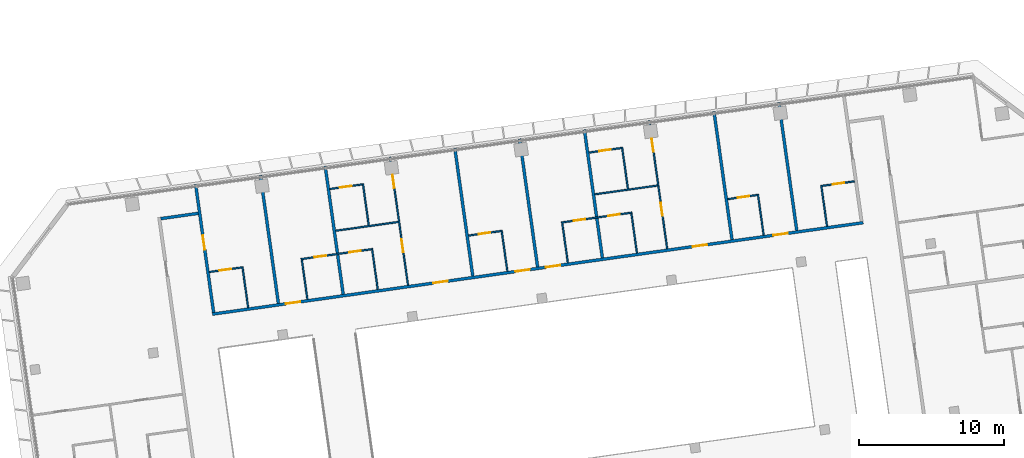
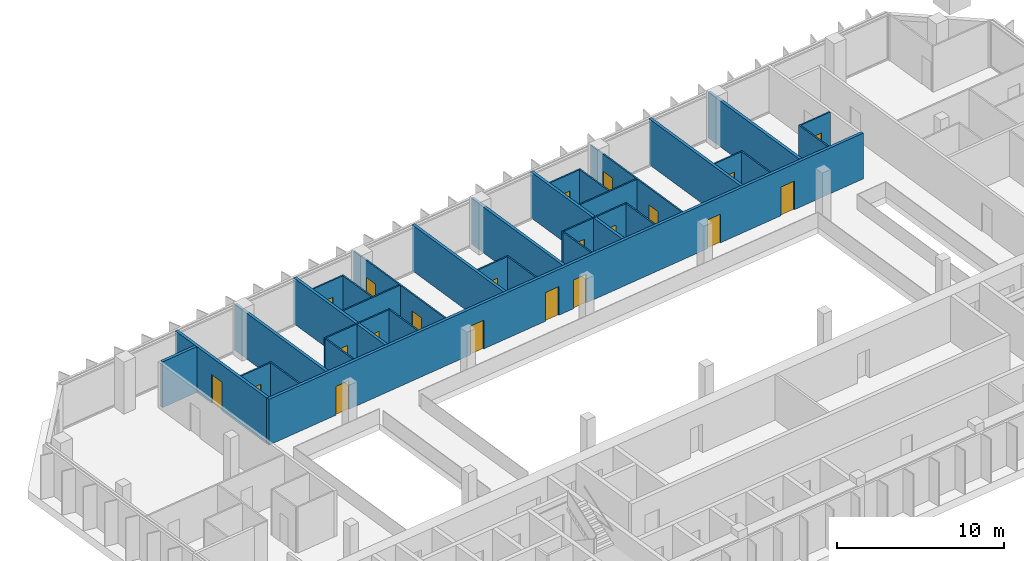
# One storey, part 21 of 26: 32 walls, 21 doors, 21 openings.
"""IFC4 building model written with IfcOpenShell, lengths in metres."""

from ifc_helpers import new_model, si_unit, direction, frame, frame_2d, origin, place, context, subcontext, project, spatial, rectangle, extrude, material, layer, layer_set, type_object, element, fill, save


model = new_model("IFC4")

# Units and contexts
model_context = context("Model", 3, precision=1e-05, world=origin(), true_north=direction((0.0, 1.0)))
body_context = subcontext(model_context, "Body", "Model", "MODEL_VIEW")
ifc_project = project(units=[si_unit("LENGTHUNIT", "METRE"), si_unit("AREAUNIT", "SQUARE_METRE"), si_unit("VOLUMEUNIT", "CUBIC_METRE"), si_unit("PLANEANGLEUNIT", "RADIAN"), si_unit("MASSUNIT", "GRAM", prefix="KILO")], contexts=[model_context])

# Site, building, storey
site_placement = place(None, origin())
site = spatial("IfcSite", under=ifc_project, at=site_placement, CompositionType="ELEMENT")
building_placement = place(site_placement, origin())
building = spatial("IfcBuilding", under=site, at=building_placement, Name="Mirante Cascada Hotel Towers", CompositionType="ELEMENT")
storey_placement = place(building_placement, frame((0.0, 0.0, 140.5)))
storey = spatial("IfcBuildingStorey", under=building, at=storey_placement, Name="L32", CompositionType="ELEMENT", Elevation=140.5)

# Wall, openings, doors
ifc_material_1 = material(Name="Fire-rated plasterboard on metal studs")
ifc_layer_1 = layer(ifc_material_1, 0.2)
ifc_layer_set_1 = layer_set([ifc_layer_1], Name="Compartment wall 200 EI 120")
wall_type_1 = type_object("IfcWallType", Name="Compartment wall 200 EI 120", PredefinedType="PARTITIONING", material=ifc_layer_set_1)
wall_1_placement = place(storey_placement, frame((86.638, 16.0582, 0.0), z_axis=(0.0, 0.0, 1.0), x_axis=(-0.9902681, -0.1391726, 0.0)))
wall_1 = element("IfcWall", 1, at=wall_1_placement, inside=storey, type_object=wall_type_1, Name="Wall 2-L32-16", PredefinedType="PARTITIONING", context=body_context, shape_type="SweptSolid", body=[
    extrude(rectangle(XDim=45.2, YDim=0.2, at=frame_2d((22.6, 0.0))), origin(), (0.0, 0.0, 1.0), 3.35),
])
opening_1_placement = place(wall_1_placement, frame((39.0938, 0.0, 0.0)))
opening_1 = element("IfcOpeningElement", 2, at=opening_1_placement, cuts=wall_1, Name="Opening D2-L32-06", PredefinedType="OPENING", context=body_context, shape_type="SweptSolid", body=[
    extrude(rectangle(XDim=1.0, YDim=2.1, at=frame_2d((0.5, 1.05))), frame((0.0, 0.1, 0.0), z_axis=(0.0, -1.0, 0.0), x_axis=(1.0, 0.0, 0.0)), (0.0, 0.0, 1.0), 0.2),
])
opening_2_placement = place(wall_1_placement, frame((28.85, 0.0, 0.0)))
opening_2 = element("IfcOpeningElement", 3, at=opening_2_placement, cuts=wall_1, Name="Opening D2-L32-07", PredefinedType="OPENING", context=body_context, shape_type="SweptSolid", body=[
    extrude(rectangle(XDim=1.0, YDim=2.1, at=frame_2d((0.5, 1.05))), frame((0.0, 0.1, 0.0), z_axis=(0.0, -1.0, 0.0), x_axis=(1.0, 0.0, 0.0)), (0.0, 0.0, 1.0), 0.2),
])
opening_3_placement = place(wall_1_placement, frame((23.15, 0.0, 0.0)))
opening_3 = element("IfcOpeningElement", 4, at=opening_3_placement, cuts=wall_1, Name="Opening D2-L32-08", PredefinedType="OPENING", context=body_context, shape_type="SweptSolid", body=[
    extrude(rectangle(XDim=1.0, YDim=2.1, at=frame_2d((0.5, 1.05))), frame((0.0, 0.1, 0.0), z_axis=(0.0, -1.0, 0.0), x_axis=(1.0, 0.0, 0.0)), (0.0, 0.0, 1.0), 0.2),
])
opening_4_placement = place(wall_1_placement, frame((21.05, 0.0, 0.0)))
opening_4 = element("IfcOpeningElement", 5, at=opening_4_placement, cuts=wall_1, Name="Opening D2-L32-09", PredefinedType="OPENING", context=body_context, shape_type="SweptSolid", body=[
    extrude(rectangle(XDim=1.0, YDim=2.1, at=frame_2d((0.5, 1.05))), frame((0.0, 0.1, 0.0), z_axis=(0.0, -1.0, 0.0), x_axis=(1.0, 0.0, 0.0)), (0.0, 0.0, 1.0), 0.2),
])
opening_5_placement = place(wall_1_placement, frame((10.85, 0.0, 0.0)))
opening_5 = element("IfcOpeningElement", 6, at=opening_5_placement, cuts=wall_1, Name="Opening D2-L32-10", PredefinedType="OPENING", context=body_context, shape_type="SweptSolid", body=[
    extrude(rectangle(XDim=1.0, YDim=2.1, at=frame_2d((0.5, 1.05))), frame((0.0, 0.1, 0.0), z_axis=(0.0, -1.0, 0.0), x_axis=(1.0, 0.0, 0.0)), (0.0, 0.0, 1.0), 0.2),
])
opening_6_placement = place(wall_1_placement, frame((5.25, 0.0, 0.0)))
opening_6 = element("IfcOpeningElement", 7, at=opening_6_placement, cuts=wall_1, Name="Opening D2-L32-11", PredefinedType="OPENING", context=body_context, shape_type="SweptSolid", body=[
    extrude(rectangle(XDim=1.0, YDim=2.1, at=frame_2d((0.5, 1.05))), frame((0.0, 0.1, 0.0), z_axis=(0.0, -1.0, 0.0), x_axis=(1.0, 0.0, 0.0)), (0.0, 0.0, 1.0), 0.2),
])
ifc_material_2 = material(Name="Fire-rated timber door leaf", Category="wood")
door_type_1 = type_object("IfcDoorType", Name="Entrance door DG1 1000x2100 EI 60", OperationType="SINGLE_SWING_LEFT", PredefinedType="DOOR", material=ifc_material_2)
door_1_placement = place(opening_1_placement, frame((1.0, 0.0, 0.0), z_axis=(0.0, 0.0, 1.0), x_axis=(-1.0, 0.0, 0.0)))
door_1 = element("IfcDoor", 8, at=door_1_placement, inside=storey, type_object=door_type_1, Name="Door D2-L32-06", OperationType="SINGLE_SWING_RIGHT", OverallHeight=2.1, OverallWidth=1.0, PredefinedType="DOOR", context=body_context, shape_type="SweptSolid", body=[
    extrude(rectangle(XDim=1.0, YDim=2.1, at=frame_2d((0.5, 1.05))), frame((0.0, 0.025, 0.0), z_axis=(0.0, -1.0, 0.0), x_axis=(1.0, 0.0, 0.0)), (0.0, 0.0, 1.0), 0.05),
])
fill(opening_1, door_1)
door_2_placement = place(opening_2_placement, frame((1.0, 0.0, 0.0), z_axis=(0.0, 0.0, 1.0), x_axis=(-1.0, 0.0, 0.0)))
door_2 = element("IfcDoor", 9, at=door_2_placement, inside=storey, type_object=door_type_1, Name="Door D2-L32-07", OperationType="SINGLE_SWING_RIGHT", OverallHeight=2.1, OverallWidth=1.0, PredefinedType="DOOR", context=body_context, shape_type="SweptSolid", body=[
    extrude(rectangle(XDim=1.0, YDim=2.1, at=frame_2d((0.5, 1.05))), frame((0.0, 0.025, 0.0), z_axis=(0.0, -1.0, 0.0), x_axis=(1.0, 0.0, 0.0)), (0.0, 0.0, 1.0), 0.05),
])
fill(opening_2, door_2)
door_3_placement = place(opening_3_placement, frame((1.0, 0.0, 0.0), z_axis=(0.0, 0.0, 1.0), x_axis=(-1.0, 0.0, 0.0)))
door_3 = element("IfcDoor", 10, at=door_3_placement, inside=storey, type_object=door_type_1, Name="Door D2-L32-08", OperationType="SINGLE_SWING_RIGHT", OverallHeight=2.1, OverallWidth=1.0, PredefinedType="DOOR", context=body_context, shape_type="SweptSolid", body=[
    extrude(rectangle(XDim=1.0, YDim=2.1, at=frame_2d((0.5, 1.05))), frame((0.0, 0.025, 0.0), z_axis=(0.0, -1.0, 0.0), x_axis=(1.0, 0.0, 0.0)), (0.0, 0.0, 1.0), 0.05),
])
fill(opening_3, door_3)
door_4_placement = place(opening_4_placement, frame((1.0, 0.0, 0.0), z_axis=(0.0, 0.0, 1.0), x_axis=(-1.0, 0.0, 0.0)))
door_4 = element("IfcDoor", 11, at=door_4_placement, inside=storey, type_object=door_type_1, Name="Door D2-L32-09", OperationType="SINGLE_SWING_RIGHT", OverallHeight=2.1, OverallWidth=1.0, PredefinedType="DOOR", context=body_context, shape_type="SweptSolid", body=[
    extrude(rectangle(XDim=1.0, YDim=2.1, at=frame_2d((0.5, 1.05))), frame((0.0, 0.025, 0.0), z_axis=(0.0, -1.0, 0.0), x_axis=(1.0, 0.0, 0.0)), (0.0, 0.0, 1.0), 0.05),
])
fill(opening_4, door_4)
door_5_placement = place(opening_5_placement, frame((1.0, 0.0, 0.0), z_axis=(0.0, 0.0, 1.0), x_axis=(-1.0, 0.0, 0.0)))
door_5 = element("IfcDoor", 12, at=door_5_placement, inside=storey, type_object=door_type_1, Name="Door D2-L32-10", OperationType="SINGLE_SWING_RIGHT", OverallHeight=2.1, OverallWidth=1.0, PredefinedType="DOOR", context=body_context, shape_type="SweptSolid", body=[
    extrude(rectangle(XDim=1.0, YDim=2.1, at=frame_2d((0.5, 1.05))), frame((0.0, 0.025, 0.0), z_axis=(0.0, -1.0, 0.0), x_axis=(1.0, 0.0, 0.0)), (0.0, 0.0, 1.0), 0.05),
])
fill(opening_5, door_5)
door_6_placement = place(opening_6_placement, frame((1.0, 0.0, 0.0), z_axis=(0.0, 0.0, 1.0), x_axis=(-1.0, 0.0, 0.0)))
door_6 = element("IfcDoor", 13, at=door_6_placement, inside=storey, type_object=door_type_1, Name="Door D2-L32-11", OperationType="SINGLE_SWING_RIGHT", OverallHeight=2.1, OverallWidth=1.0, PredefinedType="DOOR", context=body_context, shape_type="SweptSolid", body=[
    extrude(rectangle(XDim=1.0, YDim=2.1, at=frame_2d((0.5, 1.05))), frame((0.0, 0.025, 0.0), z_axis=(0.0, -1.0, 0.0), x_axis=(1.0, 0.0, 0.0)), (0.0, 0.0, 1.0), 0.05),
])
fill(opening_6, door_6)

# Wall
wall_2_placement = place(storey_placement, frame((40.9036, 16.6995, 0.0), z_axis=(0.0, 0.0, 1.0), x_axis=(-0.9902647, -0.1391971, 0.0)))
element("IfcWall", 14, at=wall_2_placement, inside=storey, type_object=wall_type_1, Name="Wall 2-L32-26", PredefinedType="PARTITIONING", context=body_context, shape_type="SweptSolid", body=[
    extrude(rectangle(XDim=2.5999, YDim=0.2, at=frame_2d((1.3, 0.0))), origin(), (0.0, 0.0, 1.0), 3.35),
])

# Wall, opening, door
wall_3_placement = place(storey_placement, frame((40.7243, 18.6939, 0.0), z_axis=(0.0, 0.0, 1.0), x_axis=(0.1391794, -0.9902672, 0.0)))
wall_3 = element("IfcWall", 15, at=wall_3_placement, inside=storey, type_object=wall_type_1, Name="Wall 2-L32-36", PredefinedType="PARTITIONING", context=body_context, shape_type="SweptSolid", body=[
    extrude(rectangle(XDim=8.9, YDim=0.2, at=frame_2d((4.45, 0.0))), origin(), (0.0, 0.0, 1.0), 3.35),
])
opening_7_placement = place(wall_3_placement, frame((3.55, 0.0, 0.0)))
opening_7 = element("IfcOpeningElement", 16, at=opening_7_placement, cuts=wall_3, Name="Opening D2-L32-27", PredefinedType="OPENING", context=body_context, shape_type="SweptSolid", body=[
    extrude(rectangle(XDim=1.0, YDim=2.1, at=frame_2d((0.5, 1.05))), frame((0.0, 0.1, 0.0), z_axis=(0.0, -1.0, 0.0), x_axis=(1.0, 0.0, 0.0)), (0.0, 0.0, 1.0), 0.2),
])
door_7_placement = place(opening_7_placement, origin())
door_7 = element("IfcDoor", 17, at=door_7_placement, inside=storey, type_object=door_type_1, Name="Door D2-L32-27", OperationType="SINGLE_SWING_LEFT", OverallHeight=2.1, OverallWidth=1.0, PredefinedType="DOOR", context=body_context, shape_type="SweptSolid", body=[
    extrude(rectangle(XDim=1.0, YDim=2.1, at=frame_2d((0.5, 1.05))), frame((0.0, 0.025, 0.0), z_axis=(0.0, -1.0, 0.0), x_axis=(1.0, 0.0, 0.0)), (0.0, 0.0, 1.0), 0.05),
])
fill(opening_7, door_7)

# Walls
for number, where, z_axis, x_axis, name in (
    (18, (45.1805, 19.3202, 0.0), (0.0, 0.0, 1.0), (0.1391794, -0.9902672, 0.0), "Wall 2-L32-38"),
    (19, (49.6367, 19.9465, 0.0), (0.0, 0.0, 1.0), (0.1391794, -0.9902672, 0.0), "Wall 2-L32-40"),
):
    element("IfcWall", number, at=place(storey_placement, frame(where, z_axis=z_axis, x_axis=x_axis)), inside=storey, type_object=wall_type_1, Name=name, PredefinedType="PARTITIONING", context=body_context, shape_type="SweptSolid", body=[
        extrude(rectangle(XDim=8.9, YDim=0.2, at=frame_2d((4.45, 0.0))), origin(), (0.0, 0.0, 1.0), 3.35),
    ])
wall_4_placement = place(storey_placement, frame((58.5492, 21.199, 0.0), z_axis=(0.0, 0.0, 1.0), x_axis=(0.13917, -0.9902685, 0.0)))
element("IfcWall", 20, at=wall_4_placement, inside=storey, type_object=wall_type_1, Name="Wall 2-L32-44", PredefinedType="PARTITIONING", context=body_context, shape_type="SweptSolid", body=[
    extrude(rectangle(XDim=8.8999, YDim=0.2, at=frame_2d((4.45, 0.0))), origin(), (0.0, 0.0, 1.0), 3.35),
])
for number, where, z_axis, x_axis, name in (
    (21, (63.0054, 21.8253, 0.0), (0.0, 0.0, 1.0), (0.1391684, -0.9902687, 0.0), "Wall 2-L32-46"),
    (22, (67.4616, 22.4516, 0.0), (0.0, 0.0, 1.0), (0.1391684, -0.9902687, 0.0), "Wall 2-L32-48"),
    (23, (76.374, 23.7042, 0.0), (0.0, 0.0, 1.0), (0.1391684, -0.9902687, 0.0), "Wall 2-L32-52"),
):
    element("IfcWall", number, at=place(storey_placement, frame(where, z_axis=z_axis, x_axis=x_axis)), inside=storey, type_object=wall_type_1, Name=name, PredefinedType="PARTITIONING", context=body_context, shape_type="SweptSolid", body=[
        extrude(rectangle(XDim=8.9, YDim=0.2, at=frame_2d((4.45, 0.0))), origin(), (0.0, 0.0, 1.0), 3.35),
    ])
wall_5_placement = place(storey_placement, frame((80.8302, 24.3304, 0.0), z_axis=(0.0, 0.0, 1.0), x_axis=(0.13917, -0.9902685, 0.0)))
element("IfcWall", 24, at=wall_5_placement, inside=storey, type_object=wall_type_1, Name="Wall 2-L32-54", PredefinedType="PARTITIONING", context=body_context, shape_type="SweptSolid", body=[
    extrude(rectangle(XDim=8.8999, YDim=0.2, at=frame_2d((4.45, 0.0))), origin(), (0.0, 0.0, 1.0), 3.35),
])

# Wall, opening, door
ifc_material_3 = material(Name="Plasterboard on metal studs")
ifc_layer_2 = layer(ifc_material_3, 0.1)
ifc_layer_set_2 = layer_set([ifc_layer_2], Name="Partition 100")
wall_type_2 = type_object("IfcWallType", Name="Partition 100", PredefinedType="PARTITIONING", material=ifc_layer_set_2)
wall_6_placement = place(storey_placement, frame((41.6723, 12.6672, 0.0), z_axis=(0.0, 0.0, 1.0), x_axis=(0.9902643, 0.1391997, 0.0)))
wall_6 = element("IfcWall", 25, at=wall_6_placement, inside=storey, type_object=wall_type_2, Name="Wall 2-L32-17", PredefinedType="PARTITIONING", context=body_context, shape_type="SweptSolid", body=[
    extrude(rectangle(XDim=2.25, YDim=0.1, at=frame_2d((1.125, 0.0))), origin(), (0.0, 0.0, 1.0), 3.35),
])
opening_8_placement = place(wall_6_placement, frame((0.7, 0.0, 0.0)))
opening_8 = element("IfcOpeningElement", 26, at=opening_8_placement, cuts=wall_6, Name="Opening D2-L32-12", PredefinedType="OPENING", context=body_context, shape_type="SweptSolid", body=[
    extrude(rectangle(XDim=0.8, YDim=2.1, at=frame_2d((0.4, 1.05))), frame((0.0, 0.05, 0.0), z_axis=(0.0, -1.0, 0.0), x_axis=(1.0, 0.0, 0.0)), (0.0, 0.0, 1.0), 0.1),
])
ifc_material_4 = material(Name="Timber door leaf", Category="wood")
door_type_2 = type_object("IfcDoorType", Name="Bathroom door DG4 800x2100", OperationType="SINGLE_SWING_LEFT", PredefinedType="DOOR", material=ifc_material_4)
door_8_placement = place(opening_8_placement, origin())
door_8 = element("IfcDoor", 27, at=door_8_placement, inside=storey, type_object=door_type_2, Name="Door D2-L32-12", OperationType="SINGLE_SWING_LEFT", OverallHeight=2.1, OverallWidth=0.8, PredefinedType="DOOR", context=body_context, shape_type="SweptSolid", body=[
    extrude(rectangle(XDim=0.8, YDim=2.1, at=frame_2d((0.4, 1.05))), frame((0.0, 0.025, 0.0), z_axis=(0.0, -1.0, 0.0), x_axis=(1.0, 0.0, 0.0)), (0.0, 0.0, 1.0), 0.05),
])
fill(opening_8, door_8)

# Wall, openings, doors
wall_7_placement = place(storey_placement, frame((52.9119, 14.2468, 0.0), z_axis=(0.0, 0.0, 1.0), x_axis=(-0.9902689, -0.139167, 0.0)))
wall_7 = element("IfcWall", 28, at=wall_7_placement, inside=storey, type_object=wall_type_2, Name="Wall 2-L32-18", PredefinedType="PARTITIONING", context=body_context, shape_type="SweptSolid", body=[
    extrude(rectangle(XDim=4.9875, YDim=0.1, at=frame_2d((2.4938, 0.0))), origin(), (0.0, 0.0, 1.0), 3.35),
])
opening_9_placement = place(wall_7_placement, frame((3.25, 0.0, 0.0)))
opening_9 = element("IfcOpeningElement", 29, at=opening_9_placement, cuts=wall_7, Name="Opening D2-L32-13", PredefinedType="OPENING", context=body_context, shape_type="SweptSolid", body=[
    extrude(rectangle(XDim=0.8, YDim=2.1, at=frame_2d((0.4, 1.05))), frame((0.0, 0.05, 0.0), z_axis=(0.0, -1.0, 0.0), x_axis=(1.0, 0.0, 0.0)), (0.0, 0.0, 1.0), 0.1),
])
opening_10_placement = place(wall_7_placement, frame((0.85, 0.0, 0.0)))
opening_10 = element("IfcOpeningElement", 30, at=opening_10_placement, cuts=wall_7, Name="Opening D2-L32-14", PredefinedType="OPENING", context=body_context, shape_type="SweptSolid", body=[
    extrude(rectangle(XDim=0.8, YDim=2.1, at=frame_2d((0.4, 1.05))), frame((0.0, 0.05, 0.0), z_axis=(0.0, -1.0, 0.0), x_axis=(1.0, 0.0, 0.0)), (0.0, 0.0, 1.0), 0.1),
])
door_9_placement = place(opening_9_placement, frame((0.8, 0.0, 0.0), z_axis=(0.0, 0.0, 1.0), x_axis=(-1.0, 0.0, 0.0)))
door_9 = element("IfcDoor", 31, at=door_9_placement, inside=storey, type_object=door_type_2, Name="Door D2-L32-13", OperationType="SINGLE_SWING_RIGHT", OverallHeight=2.1, OverallWidth=0.8, PredefinedType="DOOR", context=body_context, shape_type="SweptSolid", body=[
    extrude(rectangle(XDim=0.8, YDim=2.1, at=frame_2d((0.4, 1.05))), frame((0.0, 0.025, 0.0), z_axis=(0.0, -1.0, 0.0), x_axis=(1.0, 0.0, 0.0)), (0.0, 0.0, 1.0), 0.05),
])
fill(opening_9, door_9)
door_10_placement = place(opening_10_placement, origin())
door_10 = element("IfcDoor", 32, at=door_10_placement, inside=storey, type_object=door_type_2, Name="Door D2-L32-14", OperationType="SINGLE_SWING_LEFT", OverallHeight=2.1, OverallWidth=0.8, PredefinedType="DOOR", context=body_context, shape_type="SweptSolid", body=[
    extrude(rectangle(XDim=0.8, YDim=2.1, at=frame_2d((0.4, 1.05))), frame((0.0, 0.025, 0.0), z_axis=(0.0, -1.0, 0.0), x_axis=(1.0, 0.0, 0.0)), (0.0, 0.0, 1.0), 0.05),
])
fill(opening_10, door_10)

# Wall, opening, door
wall_8_placement = place(storey_placement, frame((59.4971, 15.1723, 0.0), z_axis=(0.0, 0.0, 1.0), x_axis=(0.9902643, 0.1391997, 0.0)))
wall_8 = element("IfcWall", 33, at=wall_8_placement, inside=storey, type_object=wall_type_2, Name="Wall 2-L32-19", PredefinedType="PARTITIONING", context=body_context, shape_type="SweptSolid", body=[
    extrude(rectangle(XDim=2.25, YDim=0.1, at=frame_2d((1.125, 0.0))), origin(), (0.0, 0.0, 1.0), 3.35),
])
opening_11_placement = place(wall_8_placement, frame((0.7, 0.0, 0.0)))
opening_11 = element("IfcOpeningElement", 34, at=opening_11_placement, cuts=wall_8, Name="Opening D2-L32-15", PredefinedType="OPENING", context=body_context, shape_type="SweptSolid", body=[
    extrude(rectangle(XDim=0.8, YDim=2.1, at=frame_2d((0.4, 1.05))), frame((0.0, 0.05, 0.0), z_axis=(0.0, -1.0, 0.0), x_axis=(1.0, 0.0, 0.0)), (0.0, 0.0, 1.0), 0.1),
])
door_11_placement = place(opening_11_placement, origin())
door_11 = element("IfcDoor", 35, at=door_11_placement, inside=storey, type_object=door_type_2, Name="Door D2-L32-15", OperationType="SINGLE_SWING_LEFT", OverallHeight=2.1, OverallWidth=0.8, PredefinedType="DOOR", context=body_context, shape_type="SweptSolid", body=[
    extrude(rectangle(XDim=0.8, YDim=2.1, at=frame_2d((0.4, 1.05))), frame((0.0, 0.025, 0.0), z_axis=(0.0, -1.0, 0.0), x_axis=(1.0, 0.0, 0.0)), (0.0, 0.0, 1.0), 0.05),
])
fill(opening_11, door_11)

# Wall, openings, doors
wall_9_placement = place(storey_placement, frame((70.7367, 16.7519, 0.0), z_axis=(0.0, 0.0, 1.0), x_axis=(-0.9902694, -0.1391638, 0.0)))
wall_9 = element("IfcWall", 36, at=wall_9_placement, inside=storey, type_object=wall_type_2, Name="Wall 2-L32-20", PredefinedType="PARTITIONING", context=body_context, shape_type="SweptSolid", body=[
    extrude(rectangle(XDim=4.9, YDim=0.1, at=frame_2d((2.45, 0.0))), origin(), (0.0, 0.0, 1.0), 3.35),
])
opening_12_placement = place(wall_9_placement, frame((3.25, 0.0, 0.0)))
opening_12 = element("IfcOpeningElement", 37, at=opening_12_placement, cuts=wall_9, Name="Opening D2-L32-16", PredefinedType="OPENING", context=body_context, shape_type="SweptSolid", body=[
    extrude(rectangle(XDim=0.8, YDim=2.1, at=frame_2d((0.4, 1.05))), frame((0.0, 0.05, 0.0), z_axis=(0.0, -1.0, 0.0), x_axis=(1.0, 0.0, 0.0)), (0.0, 0.0, 1.0), 0.1),
])
opening_13_placement = place(wall_9_placement, frame((0.85, 0.0, 0.0)))
opening_13 = element("IfcOpeningElement", 38, at=opening_13_placement, cuts=wall_9, Name="Opening D2-L32-17", PredefinedType="OPENING", context=body_context, shape_type="SweptSolid", body=[
    extrude(rectangle(XDim=0.8, YDim=2.1, at=frame_2d((0.4, 1.05))), frame((0.0, 0.05, 0.0), z_axis=(0.0, -1.0, 0.0), x_axis=(1.0, 0.0, 0.0)), (0.0, 0.0, 1.0), 0.1),
])
door_12_placement = place(opening_12_placement, frame((0.8, 0.0, 0.0), z_axis=(0.0, 0.0, 1.0), x_axis=(-1.0, 0.0, 0.0)))
door_12 = element("IfcDoor", 39, at=door_12_placement, inside=storey, type_object=door_type_2, Name="Door D2-L32-16", OperationType="SINGLE_SWING_RIGHT", OverallHeight=2.1, OverallWidth=0.8, PredefinedType="DOOR", context=body_context, shape_type="SweptSolid", body=[
    extrude(rectangle(XDim=0.8, YDim=2.1, at=frame_2d((0.4, 1.05))), frame((0.0, 0.025, 0.0), z_axis=(0.0, -1.0, 0.0), x_axis=(1.0, 0.0, 0.0)), (0.0, 0.0, 1.0), 0.05),
])
fill(opening_12, door_12)
door_13_placement = place(opening_13_placement, origin())
door_13 = element("IfcDoor", 40, at=door_13_placement, inside=storey, type_object=door_type_2, Name="Door D2-L32-17", OperationType="SINGLE_SWING_LEFT", OverallHeight=2.1, OverallWidth=0.8, PredefinedType="DOOR", context=body_context, shape_type="SweptSolid", body=[
    extrude(rectangle(XDim=0.8, YDim=2.1, at=frame_2d((0.4, 1.05))), frame((0.0, 0.025, 0.0), z_axis=(0.0, -1.0, 0.0), x_axis=(1.0, 0.0, 0.0)), (0.0, 0.0, 1.0), 0.05),
])
fill(opening_13, door_13)

# Wall, opening, door
wall_10_placement = place(storey_placement, frame((77.322, 17.6774, 0.0), z_axis=(0.0, 0.0, 1.0), x_axis=(0.9902679, 0.1391741, 0.0)))
wall_10 = element("IfcWall", 41, at=wall_10_placement, inside=storey, type_object=wall_type_2, Name="Wall 2-L32-21", PredefinedType="PARTITIONING", context=body_context, shape_type="SweptSolid", body=[
    extrude(rectangle(XDim=2.05, YDim=0.1, at=frame_2d((1.025, 0.0))), origin(), (0.0, 0.0, 1.0), 3.35),
])
opening_14_placement = place(wall_10_placement, frame((0.7, 0.0, 0.0)))
opening_14 = element("IfcOpeningElement", 42, at=opening_14_placement, cuts=wall_10, Name="Opening D2-L32-18", PredefinedType="OPENING", context=body_context, shape_type="SweptSolid", body=[
    extrude(rectangle(XDim=0.8, YDim=2.1, at=frame_2d((0.4, 1.05))), frame((0.0, 0.05, 0.0), z_axis=(0.0, -1.0, 0.0), x_axis=(1.0, 0.0, 0.0)), (0.0, 0.0, 1.0), 0.1),
])
door_14_placement = place(opening_14_placement, origin())
door_14 = element("IfcDoor", 43, at=door_14_placement, inside=storey, type_object=door_type_2, Name="Door D2-L32-18", OperationType="SINGLE_SWING_LEFT", OverallHeight=2.1, OverallWidth=0.8, PredefinedType="DOOR", context=body_context, shape_type="SweptSolid", body=[
    extrude(rectangle(XDim=0.8, YDim=2.1, at=frame_2d((0.4, 1.05))), frame((0.0, 0.025, 0.0), z_axis=(0.0, -1.0, 0.0), x_axis=(1.0, 0.0, 0.0)), (0.0, 0.0, 1.0), 0.05),
])
fill(opening_14, door_14)

wall_11_placement = place(storey_placement, frame((86.0363, 18.9022, 0.0), z_axis=(0.0, 0.0, 1.0), x_axis=(-0.9902643, -0.1391997, 0.0)))
wall_11 = element("IfcWall", 44, at=wall_11_placement, inside=storey, type_object=wall_type_2, Name="Wall 2-L32-22", PredefinedType="PARTITIONING", context=body_context, shape_type="SweptSolid", body=[
    extrude(rectangle(XDim=2.25, YDim=0.1, at=frame_2d((1.125, 0.0))), origin(), (0.0, 0.0, 1.0), 3.35),
])
opening_15_placement = place(wall_11_placement, frame((0.7, 0.0, 0.0)))
opening_15 = element("IfcOpeningElement", 45, at=opening_15_placement, cuts=wall_11, Name="Opening D2-L32-19", PredefinedType="OPENING", context=body_context, shape_type="SweptSolid", body=[
    extrude(rectangle(XDim=0.8, YDim=2.1, at=frame_2d((0.4, 1.05))), frame((0.0, 0.05, 0.0), z_axis=(0.0, -1.0, 0.0), x_axis=(1.0, 0.0, 0.0)), (0.0, 0.0, 1.0), 0.1),
])
door_15_placement = place(opening_15_placement, frame((0.8, 0.0, 0.0), z_axis=(0.0, 0.0, 1.0), x_axis=(-1.0, 0.0, 0.0)))
door_15 = element("IfcDoor", 46, at=door_15_placement, inside=storey, type_object=door_type_2, Name="Door D2-L32-19", OperationType="SINGLE_SWING_RIGHT", OverallHeight=2.1, OverallWidth=0.8, PredefinedType="DOOR", context=body_context, shape_type="SweptSolid", body=[
    extrude(rectangle(XDim=0.8, YDim=2.1, at=frame_2d((0.4, 1.05))), frame((0.0, 0.025, 0.0), z_axis=(0.0, -1.0, 0.0), x_axis=(1.0, 0.0, 0.0)), (0.0, 0.0, 1.0), 0.05),
])
fill(opening_15, door_15)

# Walls
wall_12_placement = place(storey_placement, frame((50.362, 15.5042, 0.0), z_axis=(0.0, 0.0, 1.0), x_axis=(0.9902683, 0.1391714, 0.0)))
element("IfcWall", 47, at=wall_12_placement, inside=storey, type_object=wall_type_2, Name="Wall 2-L32-23", PredefinedType="PARTITIONING", context=body_context, shape_type="SweptSolid", body=[
    extrude(rectangle(XDim=4.35, YDim=0.1, at=frame_2d((2.175, 0.0))), origin(), (0.0, 0.0, 1.0), 3.35),
])
wall_13_placement = place(storey_placement, frame((72.4945, 18.6147, 0.0), z_axis=(0.0, 0.0, 1.0), x_axis=(-0.9902679, -0.1391745, 0.0)))
element("IfcWall", 48, at=wall_13_placement, inside=storey, type_object=wall_type_2, Name="Wall 2-L32-24", PredefinedType="PARTITIONING", context=body_context, shape_type="SweptSolid", body=[
    extrude(rectangle(XDim=4.3499, YDim=0.1, at=frame_2d((2.175, 0.0))), origin(), (0.0, 0.0, 1.0), 3.35),
])

# Wall, opening, door
wall_14_placement = place(storey_placement, frame((52.1865, 18.6891, 0.0), z_axis=(0.0, 0.0, 1.0), x_axis=(-0.9902705, -0.1391561, 0.0)))
wall_14 = element("IfcWall", 49, at=wall_14_placement, inside=storey, type_object=wall_type_2, Name="Wall 2-L32-28", PredefinedType="PARTITIONING", context=body_context, shape_type="SweptSolid", body=[
    extrude(rectangle(XDim=2.25, YDim=0.1, at=frame_2d((1.125, 0.0))), origin(), (0.0, 0.0, 1.0), 3.35),
])
opening_16_placement = place(wall_14_placement, frame((0.75, 0.0, 0.0)))
opening_16 = element("IfcOpeningElement", 50, at=opening_16_placement, cuts=wall_14, Name="Opening D2-L32-20", PredefinedType="OPENING", context=body_context, shape_type="SweptSolid", body=[
    extrude(rectangle(XDim=0.8, YDim=2.1, at=frame_2d((0.4, 1.05))), frame((0.0, 0.05, 0.0), z_axis=(0.0, -1.0, 0.0), x_axis=(1.0, 0.0, 0.0)), (0.0, 0.0, 1.0), 0.1),
])
door_16_placement = place(opening_16_placement, origin())
door_16 = element("IfcDoor", 51, at=door_16_placement, inside=storey, type_object=door_type_2, Name="Door D2-L32-20", OperationType="SINGLE_SWING_LEFT", OverallHeight=2.1, OverallWidth=0.8, PredefinedType="DOOR", context=body_context, shape_type="SweptSolid", body=[
    extrude(rectangle(XDim=0.8, YDim=2.1, at=frame_2d((0.4, 1.05))), frame((0.0, 0.025, 0.0), z_axis=(0.0, -1.0, 0.0), x_axis=(1.0, 0.0, 0.0)), (0.0, 0.0, 1.0), 0.05),
])
fill(opening_16, door_16)

wall_15_placement = place(storey_placement, frame((67.7833, 20.8811, 0.0), z_axis=(0.0, 0.0, 1.0), x_axis=(0.9902705, 0.1391561, 0.0)))
wall_15 = element("IfcWall", 52, at=wall_15_placement, inside=storey, type_object=wall_type_2, Name="Wall 2-L32-29", PredefinedType="PARTITIONING", context=body_context, shape_type="SweptSolid", body=[
    extrude(rectangle(XDim=2.25, YDim=0.1, at=frame_2d((1.125, 0.0))), origin(), (0.0, 0.0, 1.0), 3.35),
])
opening_17_placement = place(wall_15_placement, frame((0.7, 0.0, 0.0)))
opening_17 = element("IfcOpeningElement", 53, at=opening_17_placement, cuts=wall_15, Name="Opening D2-L32-21", PredefinedType="OPENING", context=body_context, shape_type="SweptSolid", body=[
    extrude(rectangle(XDim=0.8, YDim=2.1, at=frame_2d((0.4, 1.05))), frame((0.0, 0.05, 0.0), z_axis=(0.0, -1.0, 0.0), x_axis=(1.0, 0.0, 0.0)), (0.0, 0.0, 1.0), 0.1),
])
door_17_placement = place(opening_17_placement, frame((0.8, 0.0, 0.0), z_axis=(0.0, 0.0, 1.0), x_axis=(-1.0, 0.0, 0.0)))
door_17 = element("IfcDoor", 54, at=door_17_placement, inside=storey, type_object=door_type_2, Name="Door D2-L32-21", OperationType="SINGLE_SWING_RIGHT", OverallHeight=2.1, OverallWidth=0.8, PredefinedType="DOOR", context=body_context, shape_type="SweptSolid", body=[
    extrude(rectangle(XDim=0.8, YDim=2.1, at=frame_2d((0.4, 1.05))), frame((0.0, 0.025, 0.0), z_axis=(0.0, -1.0, 0.0), x_axis=(1.0, 0.0, 0.0)), (0.0, 0.0, 1.0), 0.05),
])
fill(opening_17, door_17)

# Walls
wall_16_placement = place(storey_placement, frame((44.3396, 10.2146, 0.0), z_axis=(0.0, 0.0, 1.0), x_axis=(-0.1391613, 0.9902697, 0.0)))
element("IfcWall", 55, at=wall_16_placement, inside=storey, type_object=wall_type_2, Name="Wall 2-L32-37", PredefinedType="PARTITIONING", context=body_context, shape_type="SweptSolid", body=[
    extrude(rectangle(XDim=2.8499, YDim=0.1, at=frame_2d((1.425, 0.0))), origin(), (0.0, 0.0, 1.0), 3.35),
])
wall_17_placement = place(storey_placement, frame((48.4121, 10.7869, 0.0), z_axis=(0.0, 0.0, 1.0), x_axis=(-0.1391657, 0.9902691, 0.0)))
element("IfcWall", 56, at=wall_17_placement, inside=storey, type_object=wall_type_2, Name="Wall 2-L32-39", PredefinedType="PARTITIONING", context=body_context, shape_type="SweptSolid", body=[
    extrude(rectangle(XDim=2.75, YDim=0.1, at=frame_2d((1.375, 0.0))), origin(), (0.0, 0.0, 1.0), 3.35),
])
wall_18_placement = place(storey_placement, frame((53.252, 11.4671, 0.0), z_axis=(0.0, 0.0, 1.0), x_axis=(-0.1391607, 0.9902698, 0.0)))
element("IfcWall", 57, at=wall_18_placement, inside=storey, type_object=wall_type_2, Name="Wall 2-L32-41", PredefinedType="PARTITIONING", context=body_context, shape_type="SweptSolid", body=[
    extrude(rectangle(XDim=2.7501, YDim=0.1, at=frame_2d((1.3751, 0.0))), origin(), (0.0, 0.0, 1.0), 3.35),
])
wall_19_placement = place(storey_placement, frame((52.2291, 18.7456, 0.0), z_axis=(0.0, 0.0, 1.0), x_axis=(0.1391714, -0.9902683, 0.0)))
element("IfcWall", 58, at=wall_19_placement, inside=storey, type_object=wall_type_2, Name="Wall 2-L32-42", PredefinedType="PARTITIONING", context=body_context, shape_type="SweptSolid", body=[
    extrude(rectangle(XDim=2.9, YDim=0.1, at=frame_2d((1.45, 0.0))), origin(), (0.0, 0.0, 1.0), 3.35),
])

# Wall, openings, doors
wall_20_placement = place(storey_placement, frame((55.3316, 11.7594, 0.0), z_axis=(0.0, 0.0, 1.0), x_axis=(-0.1391794, 0.9902672, 0.0)))
wall_20 = element("IfcWall", 59, at=wall_20_placement, inside=storey, type_object=wall_type_2, Name="Wall 2-L32-43", PredefinedType="PARTITIONING", context=body_context, shape_type="SweptSolid", body=[
    extrude(rectangle(XDim=8.9, YDim=0.1, at=frame_2d((4.45, 0.0))), origin(), (0.0, 0.0, 1.0), 3.35),
])
opening_18_placement = place(wall_20_placement, frame((2.3, 0.0, 0.0)))
opening_18 = element("IfcOpeningElement", 60, at=opening_18_placement, cuts=wall_20, Name="Opening D2-L32-28", PredefinedType="OPENING", context=body_context, shape_type="SweptSolid", body=[
    extrude(rectangle(XDim=0.9, YDim=2.1, at=frame_2d((0.45, 1.05))), frame((0.0, 0.05, 0.0), z_axis=(0.0, -1.0, 0.0), x_axis=(1.0, 0.0, 0.0)), (0.0, 0.0, 1.0), 0.1),
])
opening_19_placement = place(wall_20_placement, frame((6.75, 0.0, 0.0)))
opening_19 = element("IfcOpeningElement", 61, at=opening_19_placement, cuts=wall_20, Name="Opening D2-L32-29", PredefinedType="OPENING", context=body_context, shape_type="SweptSolid", body=[
    extrude(rectangle(XDim=0.9, YDim=2.1, at=frame_2d((0.45, 1.05))), frame((0.0, 0.05, 0.0), z_axis=(0.0, -1.0, 0.0), x_axis=(1.0, 0.0, 0.0)), (0.0, 0.0, 1.0), 0.1),
])
ifc_material_5 = material(Name="Timber door leaf", Category="wood")
door_type_3 = type_object("IfcDoorType", Name="Room door DG3 900x2100", OperationType="SINGLE_SWING_LEFT", PredefinedType="DOOR", material=ifc_material_5)
door_18_placement = place(opening_18_placement, frame((0.9, 0.0, 0.0), z_axis=(0.0, 0.0, 1.0), x_axis=(-1.0, 0.0, 0.0)))
door_18 = element("IfcDoor", 62, at=door_18_placement, inside=storey, type_object=door_type_3, Name="Door D2-L32-28", OperationType="SINGLE_SWING_RIGHT", OverallHeight=2.1, OverallWidth=0.9, PredefinedType="DOOR", context=body_context, shape_type="SweptSolid", body=[
    extrude(rectangle(XDim=0.9, YDim=2.1, at=frame_2d((0.45, 1.05))), frame((0.0, 0.025, 0.0), z_axis=(0.0, -1.0, 0.0), x_axis=(1.0, 0.0, 0.0)), (0.0, 0.0, 1.0), 0.05),
])
fill(opening_18, door_18)
door_19_placement = place(opening_19_placement, frame((0.9, 0.0, 0.0), z_axis=(0.0, 0.0, 1.0), x_axis=(-1.0, 0.0, 0.0)))
door_19 = element("IfcDoor", 63, at=door_19_placement, inside=storey, type_object=door_type_3, Name="Door D2-L32-29", OperationType="SINGLE_SWING_RIGHT", OverallHeight=2.1, OverallWidth=0.9, PredefinedType="DOOR", context=body_context, shape_type="SweptSolid", body=[
    extrude(rectangle(XDim=0.9, YDim=2.1, at=frame_2d((0.45, 1.05))), frame((0.0, 0.025, 0.0), z_axis=(0.0, -1.0, 0.0), x_axis=(1.0, 0.0, 0.0)), (0.0, 0.0, 1.0), 0.05),
])
fill(opening_19, door_19)

# Walls
wall_21_placement = place(storey_placement, frame((62.1644, 12.7197, 0.0), z_axis=(0.0, 0.0, 1.0), x_axis=(-0.1391613, 0.9902697, 0.0)))
element("IfcWall", 64, at=wall_21_placement, inside=storey, type_object=wall_type_2, Name="Wall 2-L32-45", PredefinedType="PARTITIONING", context=body_context, shape_type="SweptSolid", body=[
    extrude(rectangle(XDim=2.8499, YDim=0.1, at=frame_2d((1.425, 0.0))), origin(), (0.0, 0.0, 1.0), 3.35),
])
wall_22_placement = place(storey_placement, frame((66.3236, 13.3042, 0.0), z_axis=(0.0, 0.0, 1.0), x_axis=(-0.1392013, 0.9902641, 0.0)))
element("IfcWall", 65, at=wall_22_placement, inside=storey, type_object=wall_type_2, Name="Wall 2-L32-47", PredefinedType="PARTITIONING", context=body_context, shape_type="SweptSolid", body=[
    extrude(rectangle(XDim=2.75, YDim=0.1, at=frame_2d((1.375, 0.0))), origin(), (0.0, 0.0, 1.0), 3.35),
])
wall_23_placement = place(storey_placement, frame((71.0769, 13.9722, 0.0), z_axis=(0.0, 0.0, 1.0), x_axis=(-0.1391963, 0.9902648, 0.0)))
element("IfcWall", 66, at=wall_23_placement, inside=storey, type_object=wall_type_2, Name="Wall 2-L32-49", PredefinedType="PARTITIONING", context=body_context, shape_type="SweptSolid", body=[
    extrude(rectangle(XDim=2.7501, YDim=0.1, at=frame_2d((1.3751, 0.0))), origin(), (0.0, 0.0, 1.0), 3.35),
])
wall_24_placement = place(storey_placement, frame((70.0539, 21.2507, 0.0), z_axis=(0.0, 0.0, 1.0), x_axis=(0.1391714, -0.9902683, 0.0)))
element("IfcWall", 67, at=wall_24_placement, inside=storey, type_object=wall_type_2, Name="Wall 2-L32-50", PredefinedType="PARTITIONING", context=body_context, shape_type="SweptSolid", body=[
    extrude(rectangle(XDim=2.9, YDim=0.1, at=frame_2d((1.45, 0.0))), origin(), (0.0, 0.0, 1.0), 3.35),
])

# Wall, openings, doors
wall_25_placement = place(storey_placement, frame((73.1564, 14.2645, 0.0), z_axis=(0.0, 0.0, 1.0), x_axis=(-0.1391684, 0.9902687, 0.0)))
wall_25 = element("IfcWall", 68, at=wall_25_placement, inside=storey, type_object=wall_type_2, Name="Wall 2-L32-51", PredefinedType="PARTITIONING", context=body_context, shape_type="SweptSolid", body=[
    extrude(rectangle(XDim=8.9, YDim=0.1, at=frame_2d((4.45, 0.0))), origin(), (0.0, 0.0, 1.0), 3.35),
])
opening_20_placement = place(wall_25_placement, frame((2.3, 0.0, 0.0)))
opening_20 = element("IfcOpeningElement", 69, at=opening_20_placement, cuts=wall_25, Name="Opening D2-L32-30", PredefinedType="OPENING", context=body_context, shape_type="SweptSolid", body=[
    extrude(rectangle(XDim=0.9, YDim=2.1, at=frame_2d((0.45, 1.05))), frame((0.0, 0.05, 0.0), z_axis=(0.0, -1.0, 0.0), x_axis=(1.0, 0.0, 0.0)), (0.0, 0.0, 1.0), 0.1),
])
opening_21_placement = place(wall_25_placement, frame((6.75, 0.0, 0.0)))
opening_21 = element("IfcOpeningElement", 70, at=opening_21_placement, cuts=wall_25, Name="Opening D2-L32-31", PredefinedType="OPENING", context=body_context, shape_type="SweptSolid", body=[
    extrude(rectangle(XDim=0.9, YDim=2.1, at=frame_2d((0.45, 1.05))), frame((0.0, 0.05, 0.0), z_axis=(0.0, -1.0, 0.0), x_axis=(1.0, 0.0, 0.0)), (0.0, 0.0, 1.0), 0.1),
])
door_20_placement = place(opening_20_placement, frame((0.9, 0.0, 0.0), z_axis=(0.0, 0.0, 1.0), x_axis=(-1.0, 0.0, 0.0)))
door_20 = element("IfcDoor", 71, at=door_20_placement, inside=storey, type_object=door_type_3, Name="Door D2-L32-30", OperationType="SINGLE_SWING_RIGHT", OverallHeight=2.1, OverallWidth=0.9, PredefinedType="DOOR", context=body_context, shape_type="SweptSolid", body=[
    extrude(rectangle(XDim=0.9, YDim=2.1, at=frame_2d((0.45, 1.05))), frame((0.0, 0.025, 0.0), z_axis=(0.0, -1.0, 0.0), x_axis=(1.0, 0.0, 0.0)), (0.0, 0.0, 1.0), 0.05),
])
fill(opening_20, door_20)
door_21_placement = place(opening_21_placement, frame((0.9, 0.0, 0.0), z_axis=(0.0, 0.0, 1.0), x_axis=(-1.0, 0.0, 0.0)))
door_21 = element("IfcDoor", 72, at=door_21_placement, inside=storey, type_object=door_type_3, Name="Door D2-L32-31", OperationType="SINGLE_SWING_RIGHT", OverallHeight=2.1, OverallWidth=0.9, PredefinedType="DOOR", context=body_context, shape_type="SweptSolid", body=[
    extrude(rectangle(XDim=0.9, YDim=2.1, at=frame_2d((0.45, 1.05))), frame((0.0, 0.025, 0.0), z_axis=(0.0, -1.0, 0.0), x_axis=(1.0, 0.0, 0.0)), (0.0, 0.0, 1.0), 0.05),
])
fill(opening_21, door_21)

# Walls
wall_26_placement = place(storey_placement, frame((79.7912, 15.197, 0.0), z_axis=(0.0, 0.0, 1.0), x_axis=(-0.1391613, 0.9902697, 0.0)))
element("IfcWall", 73, at=wall_26_placement, inside=storey, type_object=wall_type_2, Name="Wall 2-L32-53", PredefinedType="PARTITIONING", context=body_context, shape_type="SweptSolid", body=[
    extrude(rectangle(XDim=2.8499, YDim=0.1, at=frame_2d((1.425, 0.0))), origin(), (0.0, 0.0, 1.0), 3.35),
])
wall_27_placement = place(storey_placement, frame((84.1484, 15.8093, 0.0), z_axis=(0.0, 0.0, 1.0), x_axis=(-0.1391909, 0.9902656, 0.0)))
element("IfcWall", 74, at=wall_27_placement, inside=storey, type_object=wall_type_2, Name="Wall 2-L32-55", PredefinedType="PARTITIONING", context=body_context, shape_type="SweptSolid", body=[
    extrude(rectangle(XDim=2.85, YDim=0.1, at=frame_2d((1.425, 0.0))), origin(), (0.0, 0.0, 1.0), 3.35),
])

save(model, "model.ifc")
